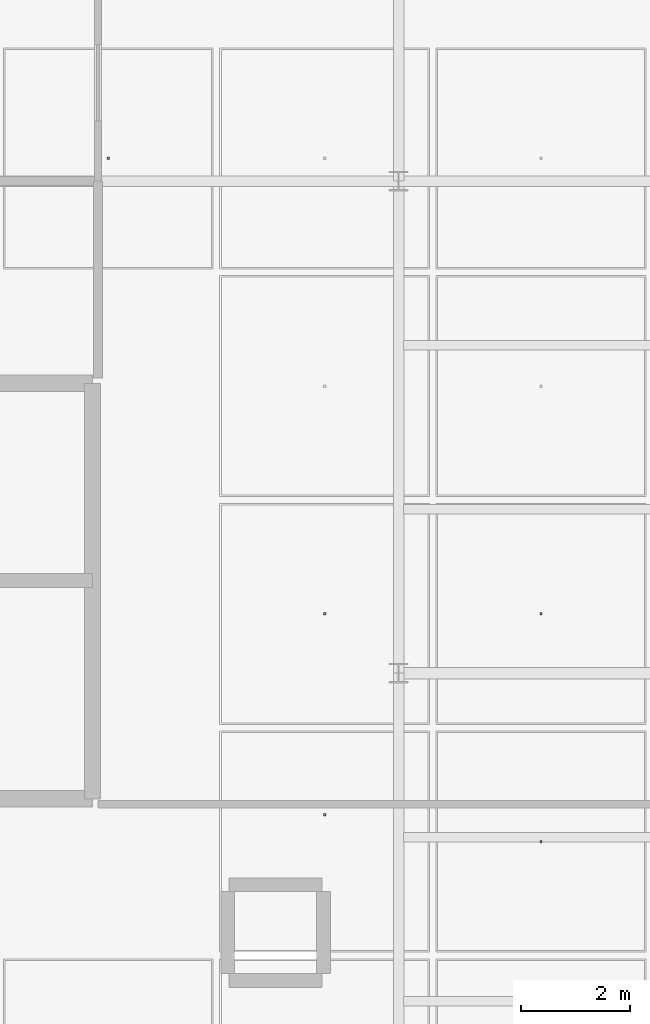
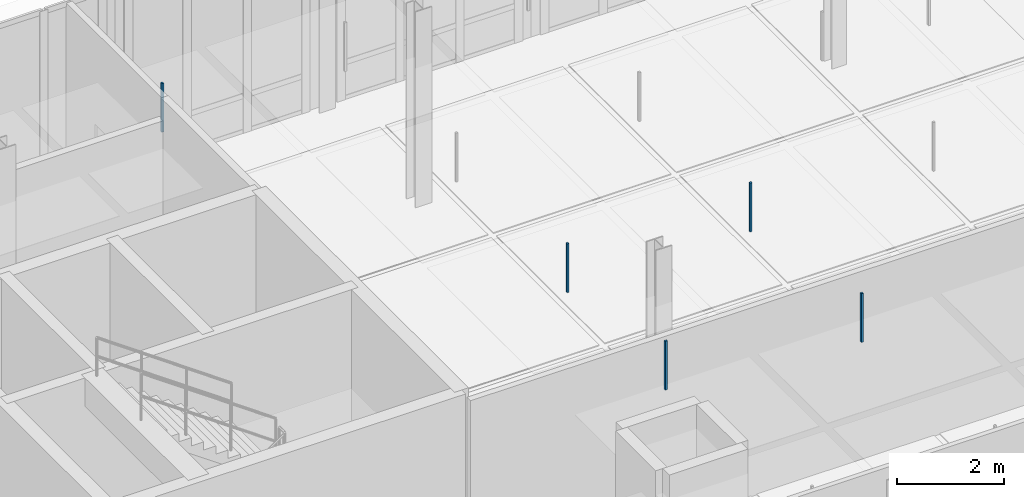
# One storey, part 115 of 130: 5 discrete accessories.
"""IFC4 building model written with IfcOpenShell, lengths in metres."""

import ifcopenshell
import ifcopenshell.guid

model = None  # the IFC model being written
_history = None  # IfcOwnerHistory: only IFC2X3 demands one
_inside = {}  # id of a spatial element -> (the spatial element, [elements in it])
_under = {}  # id of a project, library or spatial element -> (it, [spatial elements below it])
_declared = {}  # id of a project -> (the project, [libraries it declares])
_typed = {}  # id of a type object -> (the type object, [elements of that type])
_made_of = {}  # id of a material, layer set ... -> (it, [elements and type objects made of it])


def new_model(schema):
    """Start an empty IFC model of exactly this schema.

    Asked for "IFC4X3", IfcOpenShell would pick the latest addendum, in which some entities
    have other attributes; the version numbers below select the first issue.
    IFC2X3 requires an IfcOwnerHistory on every rooted entity: one is made here for all.
    """
    global model, _history
    if schema == "IFC4X3":
        model = ifcopenshell.file(schema_version=(4, 3, 0, 0))
    else:
        model = ifcopenshell.file(schema=schema)
    _inside.clear()
    _under.clear()
    _declared.clear()
    _typed.clear()
    _made_of.clear()
    _history = None
    if model.schema == "IFC2X3":
        org = make("IfcOrganization", Name="unknown")
        user = make(
            "IfcPersonAndOrganization",
            ThePerson=make("IfcPerson", FamilyName="unknown"),
            TheOrganization=org,
        )
        app = make(
            "IfcApplication",
            ApplicationDeveloper=org,
            Version="unknown",
            ApplicationFullName="unknown",
            ApplicationIdentifier="unknown",
        )
        _history = make(
            "IfcOwnerHistory",
            OwningUser=user,
            OwningApplication=app,
            ChangeAction="ADDED",
            CreationDate=0,
        )
    return model


def make(cls, **values):
    """One entity of the class cls with the attributes given. An attribute that is None is left unset."""
    return model.create_entity(
        cls, **{name: value for name, value in values.items() if value is not None}
    )


def rooted(cls, **values):
    """An entity with a GlobalId (a new one), such as an element, a storey or a relation."""
    return make(cls, GlobalId=ifcopenshell.guid.new(), OwnerHistory=_history, **values)


def si_unit(unit_type, name, prefix=None):
    """IfcSIUnit, for example si_unit("LENGTHUNIT", "METRE", prefix="MILLI")."""
    return make("IfcSIUnit", UnitType=unit_type, Prefix=prefix, Name=name)


def assignment(units):
    """IfcUnitAssignment: the units of a project."""
    return None if units is None else make("IfcUnitAssignment", Units=units)


def point(xyz):
    """IfcCartesianPoint."""
    return None if xyz is None else make("IfcCartesianPoint", Coordinates=xyz)


def direction(xyz):
    """IfcDirection."""
    return None if xyz is None else make("IfcDirection", DirectionRatios=xyz)


def frame(location, z_axis=None, x_axis=None):
    """IfcAxis2Placement3D, a coordinate frame: its origin and axes. An axis left out is left unset."""
    return make(
        "IfcAxis2Placement3D",
        Location=point(location),
        Axis=direction(z_axis),
        RefDirection=direction(x_axis),
    )


def frame_2d(location, x_axis=None):
    """IfcAxis2Placement2D, a coordinate frame in the plane: its origin and x axis."""
    return make(
        "IfcAxis2Placement2D", Location=point(location), RefDirection=direction(x_axis)
    )


def origin():
    """The frame at (0, 0, 0) with its axes left unset."""
    return frame((0.0, 0.0, 0.0))


def origin_2d():
    """The frame at (0, 0) in the plane with its x axis left unset."""
    return frame_2d((0.0, 0.0))


def place(relative_to, where):
    """IfcLocalPlacement: puts the frame where relative to a parent placement (None: the world)."""
    return make(
        "IfcLocalPlacement", PlacementRelTo=relative_to, RelativePlacement=where
    )


def context(
    kind, dimensions, precision=None, world=None, true_north=None, identifier=None
):
    """IfcGeometricRepresentationContext, for example the 3D "Model" context."""
    return make(
        "IfcGeometricRepresentationContext",
        ContextIdentifier=identifier,
        ContextType=kind,
        CoordinateSpaceDimension=dimensions,
        Precision=precision,
        WorldCoordinateSystem=world,
        TrueNorth=true_north,
    )


def subcontext(parent, identifier, kind, view, scale=None):
    """IfcGeometricRepresentationSubContext, for example "Body" below "Model"."""
    return make(
        "IfcGeometricRepresentationSubContext",
        ContextIdentifier=identifier,
        ContextType=kind,
        ParentContext=parent,
        TargetScale=scale,
        TargetView=view,
    )


def project(units=None, contexts=None):
    """IfcProject with its units and contexts."""
    return rooted(
        "IfcProject",
        Name="project",
        RepresentationContexts=contexts,
        UnitsInContext=assignment(units),
    )


def spatial(cls, under=None, at=None, **own):
    """A site, building, storey or space (cls), placed at a placement, below another one or the project."""
    s = rooted(cls, ObjectPlacement=at, **own)
    if under is not None:
        _under.setdefault(under.id(), (under, []))[1].append(s)
    return s


def profile(cls, at=None, kind="AREA", **sizes):
    """A parametric profile (cls). Its sizes go by their IFC names, for example OverallWidth=200.0."""
    return make(cls, ProfileType=kind, Position=at, **sizes)


def rectangle(**sizes):
    """IfcRectangleProfileDef."""
    return profile("IfcRectangleProfileDef", **sizes)


def extrude(swept, where, along, depth):
    """IfcExtrudedAreaSolid: the profile swept, set in the frame where, extruded along a direction by depth."""
    return make(
        "IfcExtrudedAreaSolid",
        SweptArea=swept,
        Position=where,
        ExtrudedDirection=direction(along),
        Depth=depth,
    )


def shape(context_of_items, identifier, shape_type, items):
    """IfcShapeRepresentation: the items that make up one representation, for example the "Body"."""
    return make(
        "IfcShapeRepresentation",
        ContextOfItems=context_of_items,
        RepresentationIdentifier=identifier,
        RepresentationType=shape_type,
        Items=items,
    )


def material(Name=None, Category=None):
    """IfcMaterial."""
    return make("IfcMaterial", Name=Name, Category=Category)


def made_of(thing, what):
    """Note that an element or type object is made of a material, layer set ...; save() writes the relation."""
    if what is not None:
        _made_of.setdefault(what.id(), (what, []))[1].append(thing)
    return thing


def type_object(cls, material=None, **own):
    """A type object (cls), such as IfcWallType, which elements share."""
    return made_of(rooted(cls, **own), material)


def element(
    cls,
    number,
    at=None,
    inside=None,
    cuts=None,
    type_object=None,
    material=None,
    context=None,
    identifier="Body",
    shape_type=None,
    held_by="IfcProductDefinitionShape",
    body=None,
    shapes=None,
    **own,
):
    """One element of the class cls, such as IfcWall. Its Tag is "e" and its number.

    at: its placement. inside: the storey or other place that contains it. cuts: it is an
    opening in that element (IfcRelVoidsElement). A single representation is given by context,
    identifier, shape_type and body (its items); several are given by shapes. held_by: the class
    of the entity that holds the representations. save() writes the other relations.
    """
    e = rooted(cls, Tag="e%d" % number, ObjectPlacement=at, **own)
    if body is not None:
        shapes = [shape(context, identifier, shape_type, body)]
    if shapes is not None:
        e.Representation = make(held_by, Representations=shapes)
    if inside is not None:
        _inside.setdefault(inside.id(), (inside, []))[1].append(e)
    if cuts is not None:
        rooted(
            "IfcRelVoidsElement", RelatingBuildingElement=cuts, RelatedOpeningElement=e
        )
    if type_object is not None:
        _typed.setdefault(type_object.id(), (type_object, []))[1].append(e)
    return made_of(e, material)


def aggregate(whole, parts):
    """IfcRelAggregates: a whole, such as a stair, and the parts it consists of."""
    return rooted("IfcRelAggregates", RelatingObject=whole, RelatedObjects=parts)


def save(model, path):
    """Write the relations noted so far, then the file.

    IfcRelAggregates (storeys below a building ...), IfcRelContainedInSpatialStructure (elements
    in a storey), IfcRelDefinesByType, IfcRelAssociatesMaterial and IfcRelDeclares: one each for
    every whole, place, type object, material and project.
    """
    for whole, parts in _under.values():
        aggregate(whole, parts)
    for where, things in _inside.values():
        rooted(
            "IfcRelContainedInSpatialStructure",
            RelatedElements=things,
            RelatingStructure=where,
        )
    for kind, things in _typed.values():
        rooted("IfcRelDefinesByType", RelatedObjects=things, RelatingType=kind)
    for what, things in _made_of.values():
        rooted("IfcRelAssociatesMaterial", RelatedObjects=things, RelatingMaterial=what)
    for by, libraries in _declared.values():
        rooted("IfcRelDeclares", RelatingContext=by, RelatedDefinitions=libraries)
    model.write(path)


model = new_model("IFC4")

# Units and contexts
model_context = context("Model", 3, precision=1e-05, world=origin(), true_north=direction((0.0, 1.0)))
body_context = subcontext(model_context, "Body", "Model", "MODEL_VIEW")
ifc_project = project(units=[si_unit("LENGTHUNIT", "METRE"), si_unit("AREAUNIT", "SQUARE_METRE"), si_unit("VOLUMEUNIT", "CUBIC_METRE"), si_unit("PLANEANGLEUNIT", "RADIAN"), si_unit("MASSUNIT", "GRAM", prefix="KILO"), si_unit("THERMODYNAMICTEMPERATUREUNIT", "KELVIN"), si_unit("POWERUNIT", "WATT")], contexts=[model_context])

# Site, building, storey
site_placement = place(None, origin())
site = spatial("IfcSite", under=ifc_project, at=site_placement, CompositionType="ELEMENT")
building_placement = place(site_placement, origin())
building = spatial("IfcBuilding", under=site, at=building_placement, Name="Tallowbark Science Centre", CompositionType="ELEMENT")
storey_placement = place(building_placement, frame((0.0, 0.0, 5.39990234375)))
storey = spatial("IfcBuildingStorey", under=building, at=storey_placement, Name="L01", CompositionType="ELEMENT", Elevation=5.39990234375)

# Discrete accessories
ifc_material = material(Name="Galvanised Steel Grade C350L0 (350 MPa)", Category="steel")
discrete_accessory_type = type_object("IfcDiscreteAccessoryType", Name="ACC-CLG-HNG", PredefinedType="BRACKET", material=ifc_material)
for number, where, z_axis, x_axis, name in (
    (1, (143.1875, 108.416748046875, 3.2060546875), (0.0, 0.0, 1.0), (1.0, 0.0, 0.0), "Ceiling Hanger Bracket L01-731"),
    (2, (147.145751953125, 96.405029296875, 3.2060546875), (0.0, 0.0, 1.0), (1.0, 0.0, 0.0), "Ceiling Hanger Bracket L01-737"),
    (3, (147.145751953125, 100.083251953125, 3.2060546875), (0.0, 0.0, 1.0), (1.0, 0.0, 0.0), "Ceiling Hanger Bracket L01-738"),
    (4, (151.104248046875, 95.916748046875, 3.2060546875), (0.0, 0.0, 1.0), (1.0, 0.0, 0.0), "Ceiling Hanger Bracket L01-746"),
    (5, (151.104248046875, 100.083251953125, 3.2060546875), (0.0, 0.0, 1.0), (1.0, 0.0, 0.0), "Ceiling Hanger Bracket L01-747"),
):
    element("IfcDiscreteAccessory", number, at=place(storey_placement, frame(where, z_axis=z_axis, x_axis=x_axis)), inside=storey, type_object=discrete_accessory_type, Name=name, PredefinedType="BRACKET", context=body_context, shape_type="SweptSolid", body=[
        extrude(rectangle(XDim=0.044921875, YDim=0.044921875, at=origin_2d()), origin(), (0.0, 0.0, 1.0), 1.116943359375),
    ])

save(model, "model.ifc")
